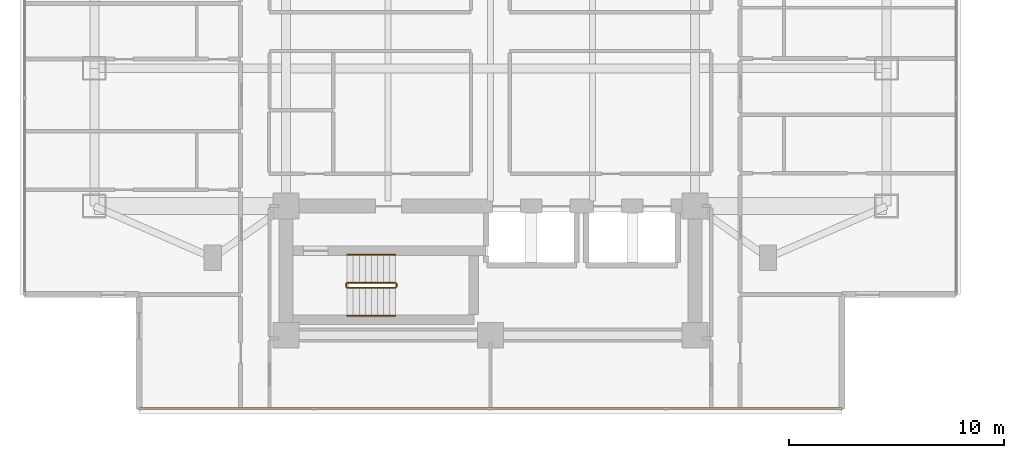
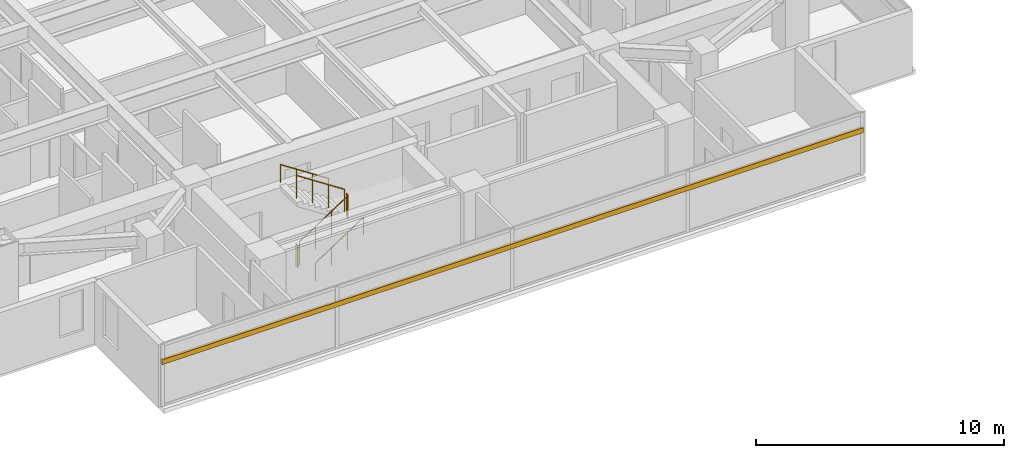
# One storey, part 20 of 25: 6 railings, 1 shading device.
"""IFC4 building model written with IfcOpenShell, lengths in metres."""

from ifc_helpers import new_model, si_unit, direction, frame, origin, origin_2d, place, context, subcontext, project, spatial, rectangle, circle, extrude, material, material_profile, profile_set, type_object, element, save


model = new_model("IFC4")

# Units and contexts
model_context = context("Model", 3, precision=1e-05, world=origin(), true_north=direction((0.0, 1.0)))
body_context = subcontext(model_context, "Body", "Model", "MODEL_VIEW")
ifc_project = project(units=[si_unit("LENGTHUNIT", "METRE"), si_unit("AREAUNIT", "SQUARE_METRE"), si_unit("VOLUMEUNIT", "CUBIC_METRE"), si_unit("PLANEANGLEUNIT", "RADIAN"), si_unit("MASSUNIT", "GRAM", prefix="KILO")], contexts=[model_context])

# Site, building, storey
site_placement = place(None, origin())
site = spatial("IfcSite", under=ifc_project, at=site_placement, CompositionType="ELEMENT")
building_placement = place(site_placement, origin())
building = spatial("IfcBuilding", under=site, at=building_placement, Name="Mirazonda Arch Towers", CompositionType="ELEMENT")
storey_placement = place(building_placement, frame((0.0, 0.0, 104.89990234375)))
storey = spatial("IfcBuildingStorey", under=building, at=storey_placement, Name="L29", CompositionType="ELEMENT", Elevation=104.89990234375)

# Shading device
ifc_material_1 = material(Name="Kiln-Fired Architectural Terracotta", Category="masonry")
ifc_material_profile = material_profile(ifc_material_1, rectangle(XDim=0.1201171875, YDim=0.239990234375, at=origin_2d()), Name="TERRA-BAG-120x240")
ifc_profile_set = profile_set([ifc_material_profile], Name="Kiln-Fired Architectural Terracotta")
shading_device_type = type_object("IfcShadingDeviceType", Name="BAGUETTE-1", PredefinedType="USERDEFINED", material=ifc_profile_set)
shading_device_placement = place(storey_placement, frame((36.824951171875, 8.97998046875, 2.203369140625), z_axis=(-1.0, 0.0, 0.0), x_axis=(0.0, -1.0, 0.0)))
element("IfcShadingDevice", 1, at=shading_device_placement, inside=storey, type_object=shading_device_type, Name="L29 Glazed Terracotta Sun-Screen Baguette CW-L29-T1-S", ObjectType="BAGUETTE", PredefinedType="USERDEFINED", context=body_context, shape_type="SweptSolid", body=[
    extrude(rectangle(XDim=0.1201171875, YDim=0.239990234375, at=origin_2d()), origin(), (0.0, 0.0, 1.0), 32.64990234375),
])

# Railings
ifc_material_2 = material(Name="Architectural Brushed Steel S355", Category="steel")
railing_type_1 = type_object("IfcRailingType", Name="GUARD-STAIR-1120", PredefinedType="GUARDRAIL", material=ifc_material_2)
railing_1_placement = place(storey_placement, frame((13.85009765625, 14.60009765625, 0.183349609375)))
element("IfcRailing", 2, at=railing_1_placement, inside=storey, type_object=railing_type_1, Name="L29 ST-T1S stair guard 1", PredefinedType="GUARDRAIL", context=body_context, shape_type="SweptSolid", body=[
    extrude(circle(Radius=0.02392578125, at=origin_2d()), frame((0.0, 0.0, 1.1259765625), z_axis=(0.836595146698, 0.0, 0.547821650285), x_axis=(0.0, 1.0, 0.0)), (0.0, 0.0, 1.0), 2.677490234375),
    extrude(circle(Radius=0.02099609375, at=origin_2d()), origin(), (0.0, 0.0, 1.0), 1.101806640625),
    extrude(circle(Radius=0.02099609375, at=origin_2d()), frame((0.74658203125, 0.0, 0.489013671875)), (0.0, 0.0, 1.0), 1.101806640625),
    extrude(circle(Radius=0.02099609375, at=origin_2d()), frame((1.493408203125, 0.0, 0.977783203125)), (0.0, 0.0, 1.0), 1.101806640625),
    extrude(circle(Radius=0.02099609375, at=origin_2d()), frame((2.239990234375, 0.0, 1.466796875)), (0.0, 0.0, 1.0), 1.101806640625),
])
railing_2_placement = place(storey_placement, frame((16.139892578125, 14.64990234375, 1.650146484375)))
element("IfcRailing", 3, at=railing_2_placement, inside=storey, type_object=railing_type_1, Name="L29 ST-T1S stair guard 2", PredefinedType="GUARDRAIL", context=body_context, shape_type="SweptSolid", body=[
    extrude(circle(Radius=0.02392578125, at=origin_2d()), frame((0.0, 0.0, 1.1259765625), z_axis=(0.0, 1.0, 0.0), x_axis=(-1.0, 0.0, 0.0)), (0.0, 0.0, 1.0), 0.14013671875),
    extrude(circle(Radius=0.02099609375, at=origin_2d()), origin(), (0.0, 0.0, 1.0), 1.101806640625),
    extrude(circle(Radius=0.02099609375, at=origin_2d()), frame((0.0, 0.14013671875, 0.0)), (0.0, 0.0, 1.0), 1.101806640625),
])
railing_3_placement = place(storey_placement, frame((16.090087890625, 14.840087890625, 1.83349609375)))
element("IfcRailing", 4, at=railing_3_placement, inside=storey, type_object=railing_type_1, Name="L29 ST-T1S stair guard 3", PredefinedType="GUARDRAIL", context=body_context, shape_type="SweptSolid", body=[
    extrude(circle(Radius=0.02392578125, at=origin_2d()), frame((0.0, 0.0, 1.1259765625), z_axis=(-0.836636935527, 0.0, 0.547757827979), x_axis=(0.0, -1.0, 0.0)), (0.0, 0.0, 1.0), 2.677490234375),
    extrude(circle(Radius=0.02099609375, at=origin_2d()), origin(), (0.0, 0.0, 1.0), 1.101806640625),
    extrude(circle(Radius=0.02099609375, at=origin_2d()), frame((-0.74658203125, 0.0, 0.48876953125)), (0.0, 0.0, 1.0), 1.101806640625),
    extrude(circle(Radius=0.02099609375, at=origin_2d()), frame((-1.493408203125, 0.0, 0.977783203125)), (0.0, 0.0, 1.0), 1.101806640625),
    extrude(circle(Radius=0.02099609375, at=origin_2d()), frame((-2.239990234375, 0.0, 1.466552734375)), (0.0, 0.0, 1.0), 1.101806640625),
])
railing_4_placement = place(storey_placement, frame((13.800048828125, 14.64990234375, 0.0)))
element("IfcRailing", 5, at=railing_4_placement, inside=storey, type_object=railing_type_1, Name="L29 ST-T1S stair guard 4", PredefinedType="GUARDRAIL", context=body_context, shape_type="SweptSolid", body=[
    extrude(circle(Radius=0.02392578125, at=origin_2d()), frame((0.0, 0.0, 1.1259765625), z_axis=(0.0, 1.0, 0.0), x_axis=(-1.0, 0.0, 0.0)), (0.0, 0.0, 1.0), 0.14013671875),
    extrude(circle(Radius=0.02099609375, at=origin_2d()), origin(), (0.0, 0.0, 1.0), 1.101806640625),
    extrude(circle(Radius=0.02099609375, at=origin_2d()), frame((0.0, 0.14013671875, 0.0)), (0.0, 0.0, 1.0), 1.101806640625),
])
railing_type_2 = type_object("IfcRailingType", Name="HANDRAIL-915", PredefinedType="HANDRAIL", material=ifc_material_2)
railing_5_placement = place(storey_placement, frame((13.85009765625, 13.300048828125, 0.183349609375)))
element("IfcRailing", 6, at=railing_5_placement, inside=storey, type_object=railing_type_2, Name="L29 ST-T1S stair handrail 1", PredefinedType="HANDRAIL", context=body_context, shape_type="SweptSolid", body=[
    extrude(circle(Radius=0.02392578125, at=origin_2d()), frame((0.0, 0.0, 0.8759765625), z_axis=(0.836595146698, 0.0, 0.547821650285), x_axis=(0.0, 1.0, 0.0)), (0.0, 0.0, 1.0), 2.677490234375),
    extrude(circle(Radius=0.02099609375, at=origin_2d()), origin(), (0.0, 0.0, 1.0), 0.851806640625),
    extrude(circle(Radius=0.02099609375, at=origin_2d()), frame((0.74658203125, 0.0, 0.489013671875)), (0.0, 0.0, 1.0), 0.851806640625),
    extrude(circle(Radius=0.02099609375, at=origin_2d()), frame((1.493408203125, 0.0, 0.977783203125)), (0.0, 0.0, 1.0), 0.851806640625),
    extrude(circle(Radius=0.02099609375, at=origin_2d()), frame((2.239990234375, 0.0, 1.466796875)), (0.0, 0.0, 1.0), 0.851806640625),
])
railing_6_placement = place(storey_placement, frame((16.090087890625, 16.139892578125, 1.83349609375)))
element("IfcRailing", 7, at=railing_6_placement, inside=storey, type_object=railing_type_2, Name="L29 ST-T1S stair handrail 2", PredefinedType="HANDRAIL", context=body_context, shape_type="SweptSolid", body=[
    extrude(circle(Radius=0.02392578125, at=origin_2d()), frame((0.0, 0.0, 0.8759765625), z_axis=(-0.836636935527, 0.0, 0.547757827979), x_axis=(0.0, -1.0, 0.0)), (0.0, 0.0, 1.0), 2.677490234375),
    extrude(circle(Radius=0.02099609375, at=origin_2d()), origin(), (0.0, 0.0, 1.0), 0.851806640625),
    extrude(circle(Radius=0.02099609375, at=origin_2d()), frame((-0.74658203125, 0.0, 0.48876953125)), (0.0, 0.0, 1.0), 0.851806640625),
    extrude(circle(Radius=0.02099609375, at=origin_2d()), frame((-1.493408203125, 0.0, 0.977783203125)), (0.0, 0.0, 1.0), 0.851806640625),
    extrude(circle(Radius=0.02099609375, at=origin_2d()), frame((-2.239990234375, 0.0, 1.466552734375)), (0.0, 0.0, 1.0), 0.851806640625),
])

save(model, "model.ifc")
